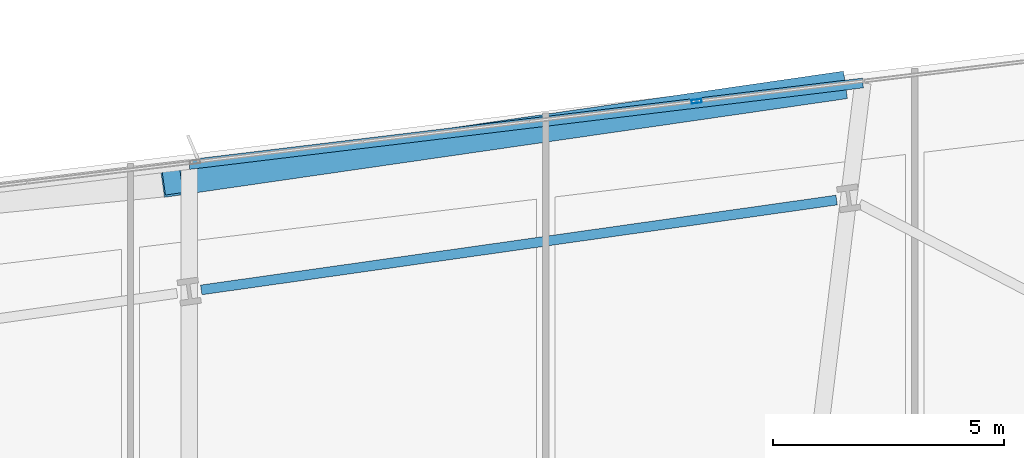
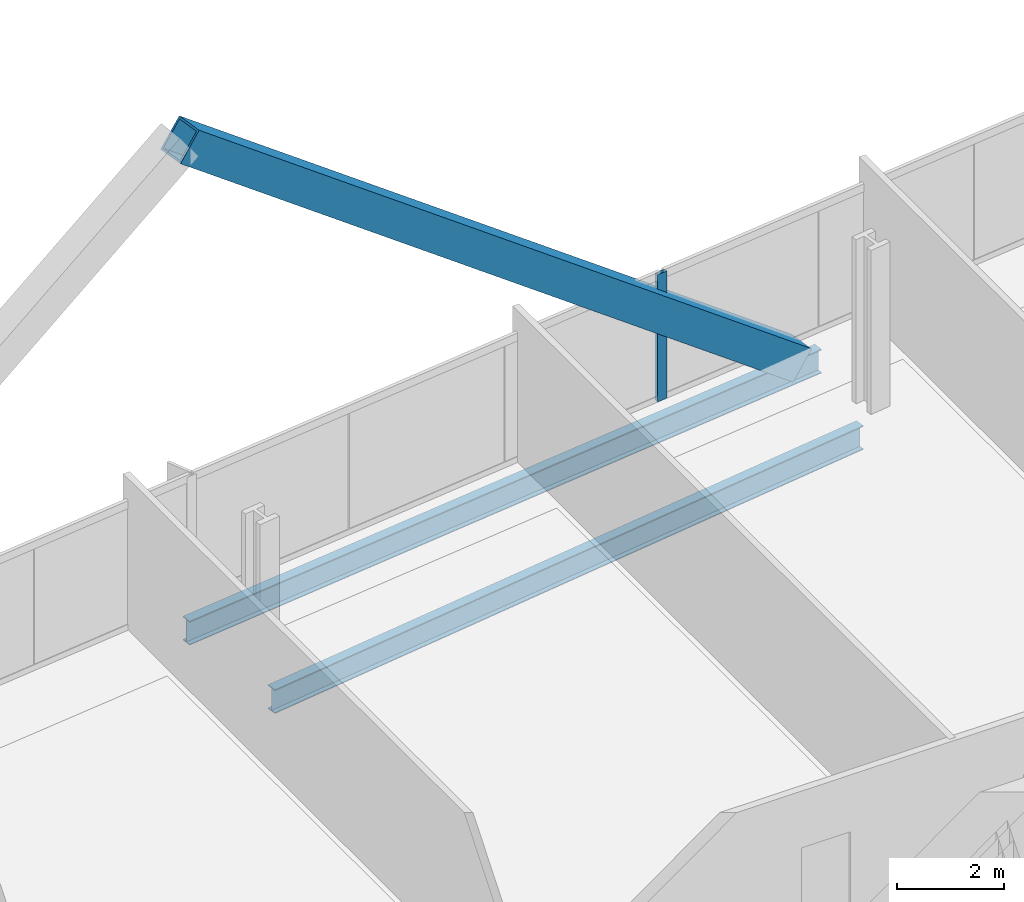
# One storey, part 22 of 33: 2 beams, 2 members, 1 element without a shape of its own.
"""IFC4 building model written with IfcOpenShell, lengths in metres."""

from ifc_helpers import new_model, si_unit, direction, frame, origin, origin_2d, place, context, subcontext, project, spatial, hollow_rectangle, i_section, extrude, material, material_profile, profile_set, type_object, element, aggregate, save


model = new_model("IFC4")

# Units and contexts
model_context = context("Model", 3, precision=1e-05, world=origin(), true_north=direction((0.0, 1.0)))
body_context = subcontext(model_context, "Body", "Model", "MODEL_VIEW")
ifc_project = project(units=[si_unit("LENGTHUNIT", "METRE"), si_unit("AREAUNIT", "SQUARE_METRE"), si_unit("VOLUMEUNIT", "CUBIC_METRE"), si_unit("PLANEANGLEUNIT", "RADIAN"), si_unit("MASSUNIT", "GRAM", prefix="KILO")], contexts=[model_context])

# Site, building, storey
site_placement = place(None, origin())
site = spatial("IfcSite", under=ifc_project, at=site_placement, CompositionType="ELEMENT")
building_placement = place(site_placement, origin())
building = spatial("IfcBuilding", under=site, at=building_placement, Name="Haldenkirk Collegiate Tower", CompositionType="ELEMENT")
storey_placement = place(building_placement, frame((0.0, 0.0, 51.449951171875)))
storey = spatial("IfcBuildingStorey", under=building, at=storey_placement, Name="L11", CompositionType="ELEMENT", Elevation=51.449951171875)

# Beams
ifc_material_1 = material(Name="Steel ASTM A992 Grade 50", Category="steel")
ifc_material_profile_1 = material_profile(ifc_material_1, i_section(OverallWidth=0.2119140625, OverallDepth=0.5439453125, WebThickness=0.01318359375, FlangeThickness=0.021240234375, at=origin_2d()), Name="W21X83")
ifc_profile_set_1 = profile_set([ifc_material_profile_1], Name="Steel ASTM A992 Grade 50")
beam_type = type_object("IfcBeamType", Name="BM-SPANDREL-W21X83", PredefinedType="SPANDREL", material=ifc_profile_set_1)
beam_1_placement = place(storey_placement, frame((46.803955078125, 50.807373046875, -0.58203125), z_axis=(-0.990146197746, -0.14003752029, 0.0), x_axis=(0.14003752029, -0.990146197746, 0.0)))
element("IfcBeam", 1, at=beam_1_placement, inside=storey, type_object=beam_type, Name="L11 perimeter spandrel beam 10", PredefinedType="SPANDREL", context=body_context, shape_type="SweptSolid", body=[
    extrude(i_section(OverallWidth=0.2119140625, OverallDepth=0.5439453125, WebThickness=0.01318359375, FlangeThickness=0.021240234375, at=origin_2d()), origin(), (0.0, 0.0, 1.0), 13.906982421875),
])
beam_2_placement = place(storey_placement, frame((47.37255859375, 53.34423828125, -0.58203125), z_axis=(-0.992757259143, -0.120137522941, 0.0), x_axis=(0.120137522941, -0.992757259143, 0.0)))
element("IfcBeam", 2, at=beam_2_placement, inside=storey, type_object=beam_type, Name="L11 outer facade edge beam 3A", PredefinedType="SPANDREL", context=body_context, shape_type="SweptSolid", body=[
    extrude(i_section(OverallWidth=0.2119140625, OverallDepth=0.5439453125, WebThickness=0.01318359375, FlangeThickness=0.021240234375, at=origin_2d()), origin(), (0.0, 0.0, 1.0), 14.706787109375),
])

# Curtain wall, member
ifc_material_2 = material(Name="Anodised architectural bronze aluminium", Category="aluminium")
curtain_wall_type = type_object("IfcCurtainWallType", Name="CW-SYS1-CONVEX-LOW", PredefinedType="USERDEFINED", material=ifc_material_2)
curtain_wall_placement = place(storey_placement, origin())
curtain_wall = element("IfcCurtainWall", 3, at=curtain_wall_placement, inside=storey, type_object=curtain_wall_type, Name="L11 Lower tower convex bronze-framed unitised curtain wall", ObjectType="UNITISED CURTAIN WALL", PredefinedType="USERDEFINED")
ifc_material_profile_2 = material_profile(ifc_material_2, hollow_rectangle(XDim=0.080078125, YDim=0.219970703125, WallThickness=0.0048828125, at=origin_2d()), Name="CW-MUL-1A")
ifc_profile_set_2 = profile_set([ifc_material_profile_2], Name="Anodised architectural bronze aluminium")
member_type_1 = type_object("IfcMemberType", Name="CW-MUL-1A", PredefinedType="MULLION", material=ifc_profile_set_2)
member_1_placement = place(storey_placement, frame((43.768798828125, 52.948486328125, 0.0), z_axis=(0.0, 0.0, 1.0), x_axis=(-0.120137179083, 0.992757300755, 0.0)))
member_1 = element("IfcMember", 4, at=member_1_placement, type_object=member_type_1, Name="CW-1A mullion 4", PredefinedType="MULLION", context=body_context, shape_type="SweptSolid", body=[
    extrude(hollow_rectangle(XDim=0.080078125, YDim=0.219970703125, WallThickness=0.0048828125, at=origin_2d()), origin(), (0.0, 0.0, 1.0), 2.89111328125),
])
aggregate(curtain_wall, [member_1])

# Member
ifc_material_3 = material(Name="Steel ASTM A572 Grade 50", Category="steel")
ifc_material_profile_3 = material_profile(ifc_material_3, hollow_rectangle(XDim=0.60009765625, YDim=0.719970703125, WallThickness=0.044921875, at=origin_2d()), Name="BOX720X600X45")
ifc_profile_set_3 = profile_set([ifc_material_profile_3], Name="Steel ASTM A572 Grade 50")
member_type_2 = type_object("IfcMemberType", Name="MBR-MEGABRACE-BOX720X600X45", PredefinedType="BRACE", material=ifc_profile_set_3)
member_2_placement = place(storey_placement, frame((46.77685546875, 53.272216796875, -0.320068359375), z_axis=(-0.782215391345, -0.113091702255, 0.612657611088), x_axis=(0.143090941903, -0.989709544435, 0.0)))
element("IfcMember", 5, at=member_2_placement, inside=storey, type_object=member_type_2, Name="Perimeter Mega Brace Z1 L11-L13 NL", PredefinedType="BRACE", context=body_context, shape_type="SweptSolid", body=[
    extrude(hollow_rectangle(XDim=0.60009765625, YDim=0.719970703125, WallThickness=0.044921875, at=origin_2d()), origin(), (0.0, 0.0, 1.0), 18.362548828125),
])

save(model, "model.ifc")
